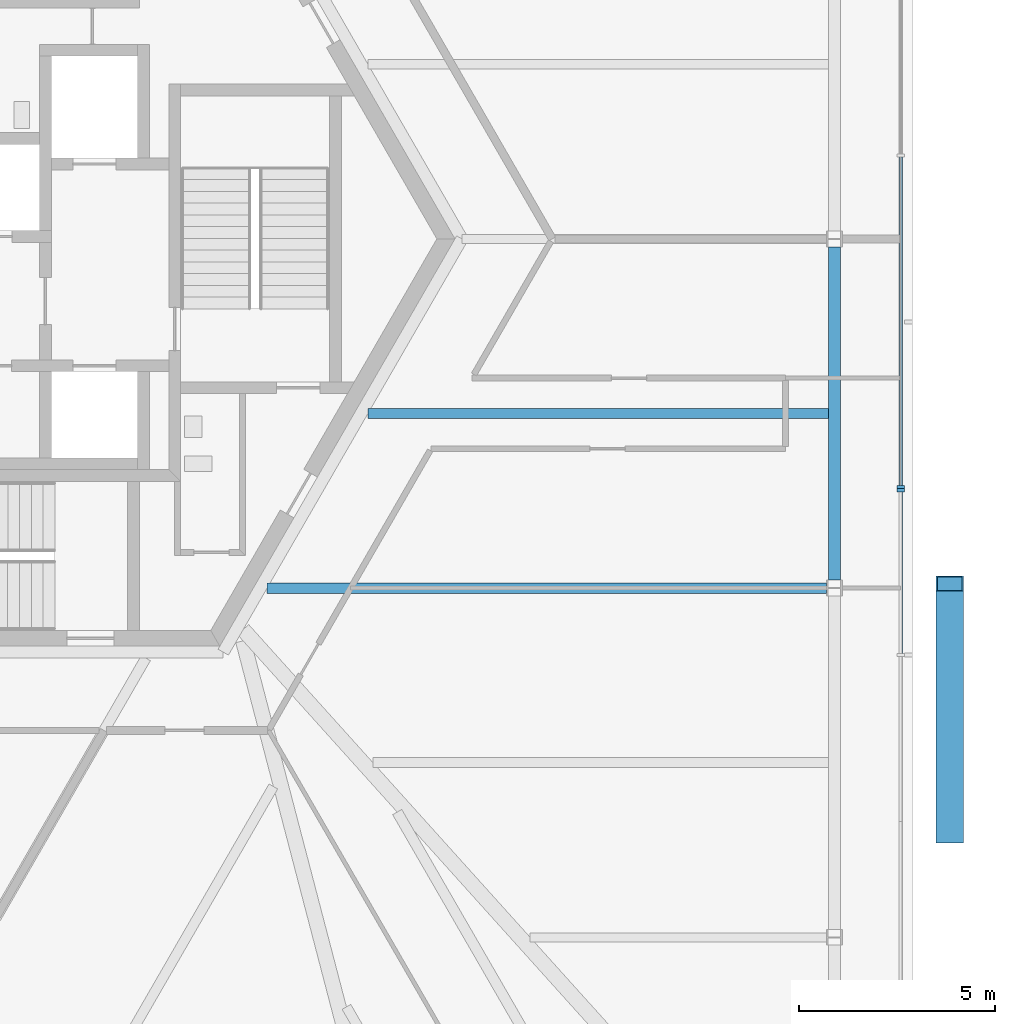
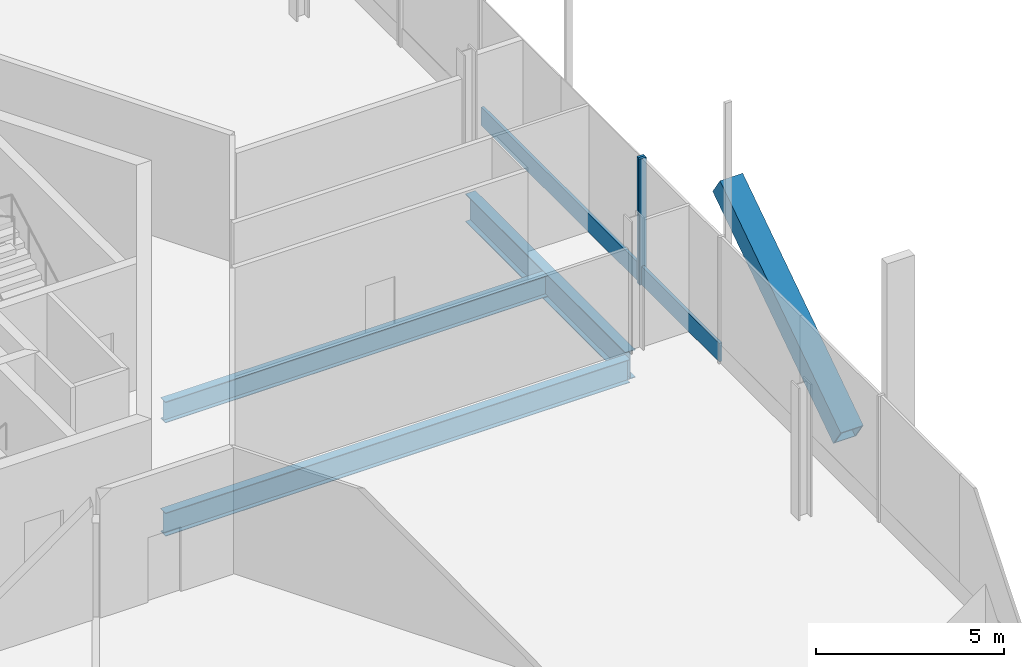
# One storey, part 5 of 19: 5 members, 3 beams, 2 elements without a shape of their own.
"""IFC4 building model written with IfcOpenShell, lengths in metres."""

import ifcopenshell
import ifcopenshell.guid

model = None  # the IFC model being written
_history = None  # IfcOwnerHistory: only IFC2X3 demands one
_inside = {}  # id of a spatial element -> (the spatial element, [elements in it])
_under = {}  # id of a project, library or spatial element -> (it, [spatial elements below it])
_declared = {}  # id of a project -> (the project, [libraries it declares])
_typed = {}  # id of a type object -> (the type object, [elements of that type])
_made_of = {}  # id of a material, layer set ... -> (it, [elements and type objects made of it])


def new_model(schema):
    """Start an empty IFC model of exactly this schema.

    Asked for "IFC4X3", IfcOpenShell would pick the latest addendum, in which some entities
    have other attributes; the version numbers below select the first issue.
    IFC2X3 requires an IfcOwnerHistory on every rooted entity: one is made here for all.
    """
    global model, _history
    if schema == "IFC4X3":
        model = ifcopenshell.file(schema_version=(4, 3, 0, 0))
    else:
        model = ifcopenshell.file(schema=schema)
    _inside.clear()
    _under.clear()
    _declared.clear()
    _typed.clear()
    _made_of.clear()
    _history = None
    if model.schema == "IFC2X3":
        org = make("IfcOrganization", Name="unknown")
        user = make(
            "IfcPersonAndOrganization",
            ThePerson=make("IfcPerson", FamilyName="unknown"),
            TheOrganization=org,
        )
        app = make(
            "IfcApplication",
            ApplicationDeveloper=org,
            Version="unknown",
            ApplicationFullName="unknown",
            ApplicationIdentifier="unknown",
        )
        _history = make(
            "IfcOwnerHistory",
            OwningUser=user,
            OwningApplication=app,
            ChangeAction="ADDED",
            CreationDate=0,
        )
    return model


def make(cls, **values):
    """One entity of the class cls with the attributes given. An attribute that is None is left unset."""
    return model.create_entity(
        cls, **{name: value for name, value in values.items() if value is not None}
    )


def rooted(cls, **values):
    """An entity with a GlobalId (a new one), such as an element, a storey or a relation."""
    return make(cls, GlobalId=ifcopenshell.guid.new(), OwnerHistory=_history, **values)


def si_unit(unit_type, name, prefix=None):
    """IfcSIUnit, for example si_unit("LENGTHUNIT", "METRE", prefix="MILLI")."""
    return make("IfcSIUnit", UnitType=unit_type, Prefix=prefix, Name=name)


def assignment(units):
    """IfcUnitAssignment: the units of a project."""
    return None if units is None else make("IfcUnitAssignment", Units=units)


def point(xyz):
    """IfcCartesianPoint."""
    return None if xyz is None else make("IfcCartesianPoint", Coordinates=xyz)


def direction(xyz):
    """IfcDirection."""
    return None if xyz is None else make("IfcDirection", DirectionRatios=xyz)


def frame(location, z_axis=None, x_axis=None):
    """IfcAxis2Placement3D, a coordinate frame: its origin and axes. An axis left out is left unset."""
    return make(
        "IfcAxis2Placement3D",
        Location=point(location),
        Axis=direction(z_axis),
        RefDirection=direction(x_axis),
    )


def frame_2d(location, x_axis=None):
    """IfcAxis2Placement2D, a coordinate frame in the plane: its origin and x axis."""
    return make(
        "IfcAxis2Placement2D", Location=point(location), RefDirection=direction(x_axis)
    )


def origin():
    """The frame at (0, 0, 0) with its axes left unset."""
    return frame((0.0, 0.0, 0.0))


def origin_2d():
    """The frame at (0, 0) in the plane with its x axis left unset."""
    return frame_2d((0.0, 0.0))


def place(relative_to, where):
    """IfcLocalPlacement: puts the frame where relative to a parent placement (None: the world)."""
    return make(
        "IfcLocalPlacement", PlacementRelTo=relative_to, RelativePlacement=where
    )


def context(
    kind, dimensions, precision=None, world=None, true_north=None, identifier=None
):
    """IfcGeometricRepresentationContext, for example the 3D "Model" context."""
    return make(
        "IfcGeometricRepresentationContext",
        ContextIdentifier=identifier,
        ContextType=kind,
        CoordinateSpaceDimension=dimensions,
        Precision=precision,
        WorldCoordinateSystem=world,
        TrueNorth=true_north,
    )


def subcontext(parent, identifier, kind, view, scale=None):
    """IfcGeometricRepresentationSubContext, for example "Body" below "Model"."""
    return make(
        "IfcGeometricRepresentationSubContext",
        ContextIdentifier=identifier,
        ContextType=kind,
        ParentContext=parent,
        TargetScale=scale,
        TargetView=view,
    )


def project(units=None, contexts=None):
    """IfcProject with its units and contexts."""
    return rooted(
        "IfcProject",
        Name="project",
        RepresentationContexts=contexts,
        UnitsInContext=assignment(units),
    )


def spatial(cls, under=None, at=None, **own):
    """A site, building, storey or space (cls), placed at a placement, below another one or the project."""
    s = rooted(cls, ObjectPlacement=at, **own)
    if under is not None:
        _under.setdefault(under.id(), (under, []))[1].append(s)
    return s


def profile(cls, at=None, kind="AREA", **sizes):
    """A parametric profile (cls). Its sizes go by their IFC names, for example OverallWidth=200.0."""
    return make(cls, ProfileType=kind, Position=at, **sizes)


def rectangle(**sizes):
    """IfcRectangleProfileDef."""
    return profile("IfcRectangleProfileDef", **sizes)


def hollow_rectangle(**sizes):
    """IfcRectangleHollowProfileDef."""
    return profile("IfcRectangleHollowProfileDef", **sizes)


def i_section(**sizes):
    """IfcIShapeProfileDef."""
    return profile("IfcIShapeProfileDef", **sizes)


def extrude(swept, where, along, depth):
    """IfcExtrudedAreaSolid: the profile swept, set in the frame where, extruded along a direction by depth."""
    return make(
        "IfcExtrudedAreaSolid",
        SweptArea=swept,
        Position=where,
        ExtrudedDirection=direction(along),
        Depth=depth,
    )


def shape(context_of_items, identifier, shape_type, items):
    """IfcShapeRepresentation: the items that make up one representation, for example the "Body"."""
    return make(
        "IfcShapeRepresentation",
        ContextOfItems=context_of_items,
        RepresentationIdentifier=identifier,
        RepresentationType=shape_type,
        Items=items,
    )


def source(mapping_origin, context_of_items, identifier, shape_type, items):
    """IfcRepresentationMap: a shape defined once, which mapped items show again and again."""
    return make(
        "IfcRepresentationMap",
        MappingOrigin=mapping_origin,
        MappedRepresentation=shape(context_of_items, identifier, shape_type, items),
    )


def transform(
    local_origin,
    x_axis=None,
    y_axis=None,
    z_axis=None,
    scale=None,
    scale2=None,
    scale3=None,
    uniform=True,
):
    """IfcCartesianTransformationOperator3D, or its non-uniform kind. x_axis, y_axis, z_axis: its Axis1, 2, 3."""
    if uniform:
        return make(
            "IfcCartesianTransformationOperator3D",
            Axis1=direction(x_axis),
            Axis2=direction(y_axis),
            LocalOrigin=point(local_origin),
            Scale=scale,
            Axis3=direction(z_axis),
        )
    return make(
        "IfcCartesianTransformationOperator3DnonUniform",
        Axis1=direction(x_axis),
        Axis2=direction(y_axis),
        LocalOrigin=point(local_origin),
        Scale=scale,
        Axis3=direction(z_axis),
        Scale2=scale2,
        Scale3=scale3,
    )


def mapped(mapping_source, mapping_target):
    """IfcMappedItem: shows the shape of a source again, moved by a transform."""
    return make(
        "IfcMappedItem", MappingSource=mapping_source, MappingTarget=mapping_target
    )


def material(Name=None, Category=None):
    """IfcMaterial."""
    return make("IfcMaterial", Name=Name, Category=Category)


def material_profile(
    of_material, cross_section, Name=None, Category=None, Priority=None
):
    """IfcMaterialProfile: a cross section and its material."""
    return make(
        "IfcMaterialProfile",
        Name=Name,
        Material=of_material,
        Profile=cross_section,
        Priority=Priority,
        Category=Category,
    )


def profile_set(profiles, Name=None, composite=None):
    """IfcMaterialProfileSet."""
    return make(
        "IfcMaterialProfileSet",
        Name=Name,
        MaterialProfiles=profiles,
        CompositeProfile=composite,
    )


def made_of(thing, what):
    """Note that an element or type object is made of a material, layer set ...; save() writes the relation."""
    if what is not None:
        _made_of.setdefault(what.id(), (what, []))[1].append(thing)
    return thing


def type_object(cls, material=None, **own):
    """A type object (cls), such as IfcWallType, which elements share."""
    return made_of(rooted(cls, **own), material)


def element(
    cls,
    number,
    at=None,
    inside=None,
    cuts=None,
    type_object=None,
    material=None,
    context=None,
    identifier="Body",
    shape_type=None,
    held_by="IfcProductDefinitionShape",
    body=None,
    shapes=None,
    **own,
):
    """One element of the class cls, such as IfcWall. Its Tag is "e" and its number.

    at: its placement. inside: the storey or other place that contains it. cuts: it is an
    opening in that element (IfcRelVoidsElement). A single representation is given by context,
    identifier, shape_type and body (its items); several are given by shapes. held_by: the class
    of the entity that holds the representations. save() writes the other relations.
    """
    e = rooted(cls, Tag="e%d" % number, ObjectPlacement=at, **own)
    if body is not None:
        shapes = [shape(context, identifier, shape_type, body)]
    if shapes is not None:
        e.Representation = make(held_by, Representations=shapes)
    if inside is not None:
        _inside.setdefault(inside.id(), (inside, []))[1].append(e)
    if cuts is not None:
        rooted(
            "IfcRelVoidsElement", RelatingBuildingElement=cuts, RelatedOpeningElement=e
        )
    if type_object is not None:
        _typed.setdefault(type_object.id(), (type_object, []))[1].append(e)
    return made_of(e, material)


def aggregate(whole, parts):
    """IfcRelAggregates: a whole, such as a stair, and the parts it consists of."""
    return rooted("IfcRelAggregates", RelatingObject=whole, RelatedObjects=parts)


def save(model, path):
    """Write the relations noted so far, then the file.

    IfcRelAggregates (storeys below a building ...), IfcRelContainedInSpatialStructure (elements
    in a storey), IfcRelDefinesByType, IfcRelAssociatesMaterial and IfcRelDeclares: one each for
    every whole, place, type object, material and project.
    """
    for whole, parts in _under.values():
        aggregate(whole, parts)
    for where, things in _inside.values():
        rooted(
            "IfcRelContainedInSpatialStructure",
            RelatedElements=things,
            RelatingStructure=where,
        )
    for kind, things in _typed.values():
        rooted("IfcRelDefinesByType", RelatedObjects=things, RelatingType=kind)
    for what, things in _made_of.values():
        rooted("IfcRelAssociatesMaterial", RelatedObjects=things, RelatingMaterial=what)
    for by, libraries in _declared.values():
        rooted("IfcRelDeclares", RelatingContext=by, RelatedDefinitions=libraries)
    model.write(path)


model = new_model("IFC4")

# Units and contexts
model_context = context("Model", 3, precision=1e-05, world=origin(), true_north=direction((0.0, 1.0)))
body_context = subcontext(model_context, "Body", "Model", "MODEL_VIEW")
ifc_project = project(units=[si_unit("LENGTHUNIT", "METRE"), si_unit("AREAUNIT", "SQUARE_METRE"), si_unit("VOLUMEUNIT", "CUBIC_METRE"), si_unit("PLANEANGLEUNIT", "RADIAN"), si_unit("MASSUNIT", "GRAM", prefix="KILO")], contexts=[model_context])

# Site, building, storey
site_placement = place(None, origin())
site = spatial("IfcSite", under=ifc_project, at=site_placement, CompositionType="ELEMENT")
building_placement = place(site_placement, origin())
building = spatial("IfcBuilding", under=site, at=building_placement, Name="Triune Harvest Tower", CompositionType="ELEMENT")
storey_placement = place(building_placement, frame((0.0, 0.0, 24.60009765625)))
storey = spatial("IfcBuildingStorey", under=building, at=storey_placement, Name="L05", CompositionType="ELEMENT", Elevation=24.60009765625)

# Beams
ifc_material_1 = material(Name="Steel ASTM A992 Gr 50", Category="steel")
ifc_material_profile_1 = material_profile(ifc_material_1, i_section(OverallWidth=0.2666015625, OverallDepth=0.7568359375, WebThickness=0.013916015625, FlangeThickness=0.019287109375, at=origin_2d()), Name="W30x108")
ifc_profile_set_1 = profile_set([ifc_material_profile_1], Name="Steel ASTM A992 Gr 50")
beam_type_1 = type_object("IfcBeamType", Name="JT-5 Floor joist W30x108", PredefinedType="JOIST", material=ifc_profile_set_1)
shared_shape_1 = source(origin(), body_context, "Body", "SweptSolid", [
    extrude(i_section(OverallWidth=0.2666015625, OverallDepth=0.7568359375, WebThickness=0.013916015625, FlangeThickness=0.019287109375, at=origin_2d()), origin(), (0.0, 0.0, 1.0), 14.2685546875),
])
beam_1_placement = place(storey_placement, frame((21.476318359375, -8.909912109375, -0.57861328125), z_axis=(-1.0, 0.0, 0.0), x_axis=(0.0, -1.0, 0.0)))
element("IfcBeam", 1, at=beam_1_placement, inside=storey, type_object=beam_type_1, Name="beam/L05/JT4", PredefinedType="JOIST", context=body_context, shape_type="MappedRepresentation", body=[
    mapped(shared_shape_1, transform((0.0, 0.0, 0.0), scale=1.0)),
])
ifc_material_2 = material(Name="Steel ASTM A992 Gr 50", Category="steel")
ifc_material_profile_2 = material_profile(ifc_material_2, i_section(OverallWidth=0.3046875, OverallDepth=0.914306640625, WebThickness=0.0166015625, FlangeThickness=0.02587890625, at=origin_2d()), Name="W36x160")
ifc_profile_set_2 = profile_set([ifc_material_profile_2], Name="Steel ASTM A992 Gr 50")
beam_type_2 = type_object("IfcBeamType", Name="SB-1 Spandrel beam W36x160", PredefinedType="SPANDREL", material=ifc_profile_set_2)
shared_shape_2 = source(origin(), body_context, "Body", "SweptSolid", [
    extrude(i_section(OverallWidth=0.3046875, OverallDepth=0.914306640625, WebThickness=0.0166015625, FlangeThickness=0.02587890625, at=origin_2d()), origin(), (0.0, 0.0, 1.0), 8.506103515625),
])
beam_2_placement = place(storey_placement, frame((21.679443359375, -8.7080078125, -0.6572265625), z_axis=(0.0, 1.0, 0.0), x_axis=(-1.0, 0.0, 0.0)))
element("IfcBeam", 2, at=beam_2_placement, inside=storey, type_object=beam_type_2, Name="beam/L05/SB3", PredefinedType="SPANDREL", context=body_context, shape_type="MappedRepresentation", body=[
    mapped(shared_shape_2, transform((0.0, 0.0, 0.0), scale=1.0)),
])
ifc_material_3 = material(Name="Steel ASTM A992 Gr 50", Category="steel")
ifc_material_profile_3 = material_profile(ifc_material_3, i_section(OverallWidth=0.253662109375, OverallDepth=0.683349609375, WebThickness=0.012451171875, FlangeThickness=0.01904296875, at=origin_2d()), Name="W27x94")
ifc_profile_set_3 = profile_set([ifc_material_profile_3], Name="Steel ASTM A992 Gr 50")
beam_type_3 = type_object("IfcBeamType", Name="JT-4 Floor joist W27x94", PredefinedType="JOIST", material=ifc_profile_set_3)
shared_shape_3 = source(origin(), body_context, "Body", "SweptSolid", [
    extrude(i_section(OverallWidth=0.253662109375, OverallDepth=0.683349609375, WebThickness=0.012451171875, FlangeThickness=0.01904296875, at=origin_2d()), origin(), (0.0, 0.0, 1.0), 11.747314453125),
])
beam_3_placement = place(storey_placement, frame((21.527099609375, -4.455078125, -0.541748046875), z_axis=(-1.0, 0.0, 0.0), x_axis=(0.0, -1.0, 0.0)))
element("IfcBeam", 3, at=beam_3_placement, inside=storey, type_object=beam_type_3, Name="beam/L05/JT5", PredefinedType="JOIST", context=body_context, shape_type="MappedRepresentation", body=[
    mapped(shared_shape_3, transform((0.0, 0.0, 0.0), scale=1.0)),
])

# Member
ifc_material_4 = material(Name="Steel ASTM A572 Gr 50", Category="steel")
ifc_material_profile_4 = material_profile(ifc_material_4, hollow_rectangle(XDim=0.699951171875, YDim=0.699951171875, WallThickness=0.0400390625, at=origin_2d()), Name="Box 700x700x40")
ifc_profile_set_4 = profile_set([ifc_material_profile_4], Name="Steel ASTM A572 Gr 50")
member_type_1 = type_object("IfcMemberType", Name="BR-1 Brace Box 700x700x40", PredefinedType="BRACE", material=ifc_profile_set_4)
shared_shape_4 = source(origin(), body_context, "Body", "SweptSolid", [
    extrude(hollow_rectangle(XDim=0.699951171875, YDim=0.699951171875, WallThickness=0.0400390625, at=origin_2d()), origin(), (0.0, 0.0, 1.0), 7.728515625),
])
member_1_placement = place(storey_placement, frame((24.621337890625, -15.215576171875, 0.0), z_axis=(0.0, 0.830940557942, 0.556361203866), x_axis=(-1.0, 0.0, 0.0)))
element("IfcMember", 4, at=member_1_placement, inside=storey, type_object=member_type_1, Name="brace/B1-F1/d1/3", PredefinedType="BRACE", context=body_context, shape_type="MappedRepresentation", body=[
    mapped(shared_shape_4, transform((0.0, 0.0, 0.0), scale=1.0)),
])

# Curtain wall, member
ifc_material_5 = material(Name="Aluminium bronze anodised", Category="aluminium")
curtain_wall_type_1 = type_object("IfcCurtainWallType", Name="CW-8 Farm floor curtain wall with insulated spandrel infill", PredefinedType="NOTDEFINED", material=ifc_material_5)
curtain_wall_1_placement = place(storey_placement, origin())
curtain_wall_1 = element("IfcCurtainWall", 5, at=curtain_wall_1_placement, inside=storey, type_object=curtain_wall_type_1, Name="CW-8 B1-F1 L05 run 1")
ifc_material_6 = material(Name="Aluminium bronze anodised", Category="aluminium")
ifc_material_profile_5 = material_profile(ifc_material_6, rectangle(XDim=0.199951171875, YDim=0.080078125, at=origin_2d()), Name="MU-3 mullion 80 x 200")
ifc_profile_set_5 = profile_set([ifc_material_profile_5], Name="Aluminium bronze anodised")
member_type_2 = type_object("IfcMemberType", Name="MU-3 mullion 80 x 200", PredefinedType="MULLION", material=ifc_profile_set_5)
shared_shape_5 = source(origin(), body_context, "Body", "SweptSolid", [
    extrude(rectangle(XDim=0.199951171875, YDim=0.080078125, at=origin_2d()), origin(), (0.0, 0.0, 1.0), 4.099853515625),
])
member_2_placement = place(storey_placement, frame((23.371337890625, -6.4130859375, 0.0), z_axis=(0.0, 0.0, 1.0), x_axis=(-1.0, 0.0, 0.0)))
member_2 = element("IfcMember", 6, at=member_2_placement, type_object=member_type_2, Name="CW-8 mullion B1-F1 1.6", PredefinedType="MULLION", context=body_context, shape_type="MappedRepresentation", body=[
    mapped(shared_shape_5, transform((0.0, 0.0, 0.0), scale=1.0)),
])

ifc_material_7 = material(Name="Aluminium bronze anodised", Category="aluminium")
curtain_wall_type_2 = type_object("IfcCurtainWallType", Name="CW-3 Farm floor curtain wall", PredefinedType="NOTDEFINED", material=ifc_material_7)
curtain_wall_2_placement = place(storey_placement, origin())
curtain_wall_2 = element("IfcCurtainWall", 7, at=curtain_wall_2_placement, inside=storey, type_object=curtain_wall_type_2, Name="CW-3 B1-F1 L05 run 1001")
member_3_placement = place(storey_placement, frame((23.371337890625, -6.3330078125, 0.0), z_axis=(0.0, 0.0, 1.0), x_axis=(-1.0, 0.0, 0.0)))
member_3 = element("IfcMember", 8, at=member_3_placement, type_object=member_type_2, Name="CW-3 mullion B1-F1 1001.1", PredefinedType="MULLION", context=body_context, shape_type="MappedRepresentation", body=[
    mapped(shared_shape_5, transform((0.0, 0.0, 0.0), scale=1.0)),
])

# Member
ifc_material_8 = material(Name="Aluminium bronze anodised", Category="aluminium")
ifc_material_profile_6 = material_profile(ifc_material_8, rectangle(XDim=0.090087890625, YDim=0.60009765625, at=origin_2d()), Name="TR-3 transom 90 x 600")
ifc_profile_set_6 = profile_set([ifc_material_profile_6], Name="Aluminium bronze anodised")
member_type_3 = type_object("IfcMemberType", Name="TR-3 transom 90 x 600", PredefinedType="USERDEFINED", material=ifc_profile_set_6)
shared_shape_6 = source(origin(), body_context, "Body", "SweptSolid", [
    extrude(rectangle(XDim=0.090087890625, YDim=0.60009765625, at=origin_2d()), origin(), (0.0, 0.0, 1.0), 4.128662109375),
])
member_4_placement = place(storey_placement, frame((23.371337890625, -10.581787109375, 0.2998046875), z_axis=(0.0, 1.0, 0.0), x_axis=(-1.0, 0.0, 0.0)))
member_4 = element("IfcMember", 9, at=member_4_placement, type_object=member_type_3, Name="CW-8 transom B1-F1 1.3", ObjectType="TRANSOM", PredefinedType="USERDEFINED", context=body_context, shape_type="MappedRepresentation", body=[
    mapped(shared_shape_6, transform((0.0, 0.0, 0.0), scale=1.0)),
])

aggregate(curtain_wall_1, [member_2, member_4])

shared_shape_7 = source(origin(), body_context, "Body", "SweptSolid", [
    extrude(rectangle(XDim=0.090087890625, YDim=0.60009765625, at=origin_2d()), origin(), (0.0, 0.0, 1.0), 8.377685546875),
])
member_5_placement = place(storey_placement, frame((23.371337890625, -6.293212890625, 0.2998046875), z_axis=(0.0, 1.0, 0.0), x_axis=(-1.0, 0.0, 0.0)))
member_5 = element("IfcMember", 10, at=member_5_placement, type_object=member_type_3, Name="CW-3 transom B1-F1 1001.1", ObjectType="TRANSOM", PredefinedType="USERDEFINED", context=body_context, shape_type="MappedRepresentation", body=[
    mapped(shared_shape_7, transform((0.0, 0.0, 0.0), scale=1.0)),
])

aggregate(curtain_wall_2, [member_3, member_5])

save(model, "model.ifc")
